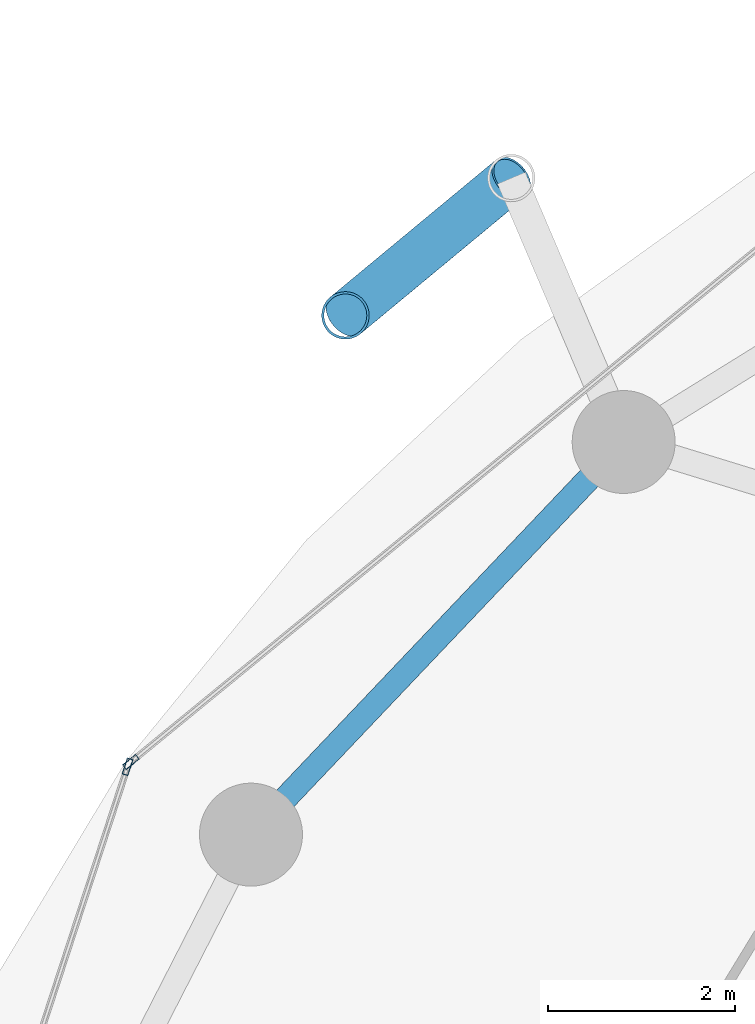
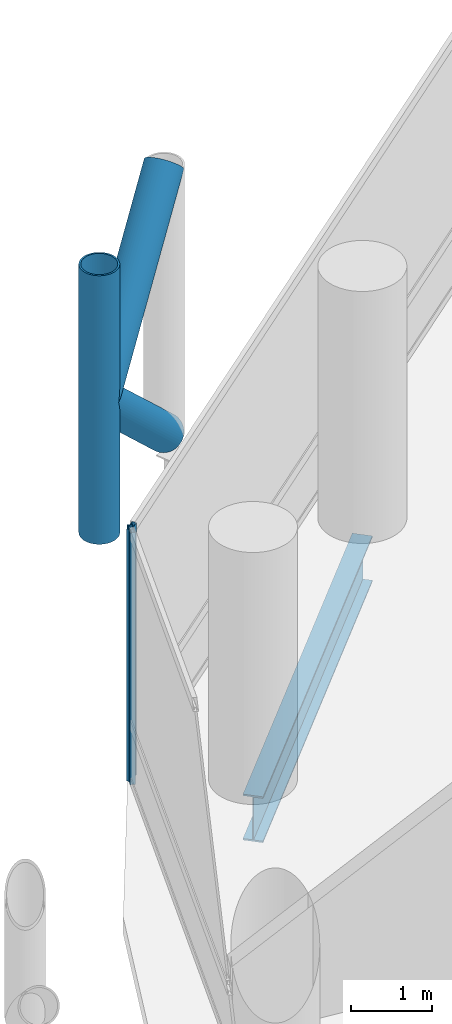
# One storey, part 13 of 25: 5 members, 1 beam, 2 elements without a shape of their own.
"""IFC4 building model written with IfcOpenShell, lengths in metres."""

from ifc_helpers import new_model, si_unit, direction, frame, origin, origin_2d, place, context, subcontext, project, spatial, hollow_rectangle, hollow_circle, i_section, extrude, material, layer, layer_set, material_profile, profile_set, type_object, element, aggregate, save


model = new_model("IFC4")

# Units and contexts
model_context = context("Model", 3, precision=1e-05, world=origin(), true_north=direction((0.0, 1.0)))
body_context = subcontext(model_context, "Body", "Model", "MODEL_VIEW")
ifc_project = project(units=[si_unit("LENGTHUNIT", "METRE"), si_unit("AREAUNIT", "SQUARE_METRE"), si_unit("VOLUMEUNIT", "CUBIC_METRE"), si_unit("PLANEANGLEUNIT", "RADIAN"), si_unit("MASSUNIT", "GRAM", prefix="KILO")], contexts=[model_context])

# Site, building, storey
site_placement = place(None, origin())
site = spatial("IfcSite", under=ifc_project, at=site_placement, CompositionType="ELEMENT")
building_placement = place(site_placement, origin())
building = spatial("IfcBuilding", under=site, at=building_placement, Name="Nuhasar Tower", CompositionType="ELEMENT")
storey_placement = place(building_placement, frame((0.0, 0.0, 57.449951171875)))
storey = spatial("IfcBuildingStorey", under=building, at=storey_placement, Name="L13", CompositionType="ELEMENT", Elevation=57.449951171875)

# Beam
ifc_material_1 = material(Name="Steel S355", Category="steel")
ifc_material_profile_1 = material_profile(ifc_material_1, i_section(OverallWidth=0.256103515625, OverallDepth=0.693115234375, WebThickness=0.014404296875, FlangeThickness=0.023681640625, at=origin_2d()), Name="W27X114")
ifc_profile_set_1 = profile_set([ifc_material_profile_1], Name="Steel S355")
beam_type = type_object("IfcBeamType", Name="BM-RING-W27X114", PredefinedType="SPANDREL", material=ifc_profile_set_1)
beam_placement = place(storey_placement, frame((21.287109375, 41.118896484375, -0.595947265625), z_axis=(-0.688480893507, -0.725254478976, 0.0), x_axis=(0.725254478976, -0.688480893507, 0.0)))
element("IfcBeam", 1, at=beam_placement, inside=storey, type_object=beam_type, Name="L13 Perimeter Ring Spandrel 10", PredefinedType="SPANDREL", context=body_context, shape_type="SweptSolid", body=[
    extrude(i_section(OverallWidth=0.256103515625, OverallDepth=0.693115234375, WebThickness=0.014404296875, FlangeThickness=0.023681640625, at=origin_2d()), origin(), (0.0, 0.0, 1.0), 5.782470703125),
])

# Curtain wall, member
ifc_material_2 = material(Name="Aluminium 6063-T6", Category="aluminium")
ifc_layer = layer(ifc_material_2, 0.199951171875)
ifc_layer_set = layer_set([ifc_layer], Name="Aluminium 6063-T6")
curtain_wall_type = type_object("IfcCurtainWallType", Name="CW-Z1-OFF", PredefinedType="NOTDEFINED", material=ifc_layer_set)
curtain_wall_1_placement = place(storey_placement, origin())
curtain_wall_1 = element("IfcCurtainWall", 2, at=curtain_wall_1_placement, inside=storey, type_object=curtain_wall_type, Name="L13 Unitised Curtain Wall 05", PredefinedType="NOTDEFINED")
ifc_material_profile_2 = material_profile(ifc_material_2, hollow_rectangle(XDim=0.06494140625, YDim=0.179931640625, WallThickness=0.0048828125, at=origin_2d()), Name="CWM-2")
ifc_profile_set_2 = profile_set([ifc_material_profile_2], Name="Aluminium 6063-T6")
member_type_1 = type_object("IfcMemberType", Name="CW-MUL-S2", PredefinedType="MULLION", material=ifc_profile_set_2)
member_1_placement = place(storey_placement, frame((16.023193359375, 37.70068359375, 0.0), z_axis=(0.0, 0.0, 1.0), x_axis=(0.633744593376, -0.773542364946, 0.0)))
member_1 = element("IfcMember", 3, at=member_1_placement, type_object=member_type_1, Name="CW-Z1 mullion 2", PredefinedType="MULLION", context=body_context, shape_type="SweptSolid", body=[
    extrude(hollow_rectangle(XDim=0.06494140625, YDim=0.179931640625, WallThickness=0.0048828125, at=origin_2d()), origin(), (0.0, 0.0, 1.0), 3.800048828125),
])
aggregate(curtain_wall_1, [member_1])

curtain_wall_2_placement = place(storey_placement, origin())
curtain_wall_2 = element("IfcCurtainWall", 4, at=curtain_wall_2_placement, inside=storey, type_object=curtain_wall_type, Name="L13 Unitised Curtain Wall 06", PredefinedType="NOTDEFINED")
member_2_placement = place(storey_placement, frame((15.98779296875, 37.649169921875, 0.0), z_axis=(0.0, 0.0, 1.0), x_axis=(0.950467534571, -0.310823849997, 0.0)))
member_2 = element("IfcMember", 5, at=member_2_placement, type_object=member_type_1, Name="CW-Z1 mullion 1", PredefinedType="MULLION", context=body_context, shape_type="SweptSolid", body=[
    extrude(hollow_rectangle(XDim=0.06494140625, YDim=0.179931640625, WallThickness=0.0048828125, at=origin_2d()), origin(), (0.0, 0.0, 1.0), 3.800048828125),
])
aggregate(curtain_wall_2, [member_2])

# Members
ifc_material_3 = material(Name="Steel S460", Category="steel")
ifc_material_profile_3 = material_profile(ifc_material_3, hollow_circle(Radius=0.25390625, WallThickness=0.025390625, at=origin_2d()), Name="HSS508X25.4")
ifc_profile_set_3 = profile_set([ifc_material_profile_3], Name="Steel S460")
member_type_2 = type_object("IfcMemberType", Name="EXO-BRONZE-508", PredefinedType="BRACE", material=ifc_profile_set_3)
member_3_placement = place(storey_placement, frame((18.31494140625, 42.470947265625, 0.0), z_axis=(0.0, 0.0, 1.0), x_axis=(1.0, 0.0, 0.0)))
element("IfcMember", 6, at=member_3_placement, inside=storey, type_object=member_type_2, Name="L13 Exoskeleton Chord Column EC-05B", PredefinedType="BRACE", context=body_context, shape_type="SweptSolid", body=[
    extrude(hollow_circle(Radius=0.25390625, WallThickness=0.025390625, at=origin_2d()), origin(), (0.0, 0.0, 1.0), 4.050048828125),
])
member_4_placement = place(storey_placement, frame((20.0869140625, 43.93896484375, 0.0), z_axis=(-0.578071194894, -0.478911834514, 0.660664172175), x_axis=(0.637969333506, -0.770061769929, 0.0)))
element("IfcMember", 7, at=member_4_placement, inside=storey, type_object=member_type_2, Name="L13 Bronze Diagrid Brace W1-05", PredefinedType="BRACE", context=body_context, shape_type="SweptSolid", body=[
    extrude(hollow_circle(Radius=0.25390625, WallThickness=0.025390625, at=origin_2d()), origin(), (0.0, 0.0, 1.0), 3.0654296875),
])
member_5_placement = place(storey_placement, frame((18.31494140625, 42.470947265625, 2.025146484375), z_axis=(0.578101613167, 0.478937034992, 0.660619286251), x_axis=(-0.637969333506, 0.770061769929, 0.0)))
element("IfcMember", 8, at=member_5_placement, inside=storey, type_object=member_type_2, Name="L13 Bronze Diagrid Brace W2-05", PredefinedType="BRACE", context=body_context, shape_type="SweptSolid", body=[
    extrude(hollow_circle(Radius=0.25390625, WallThickness=0.025390625, at=origin_2d()), origin(), (0.0, 0.0, 1.0), 3.065185546875),
])

save(model, "model.ifc")
